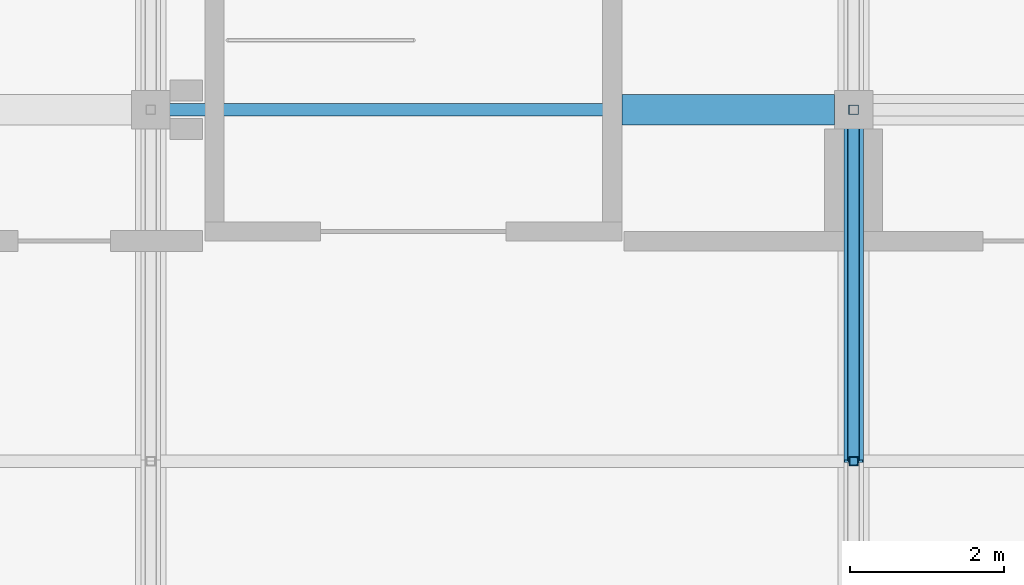
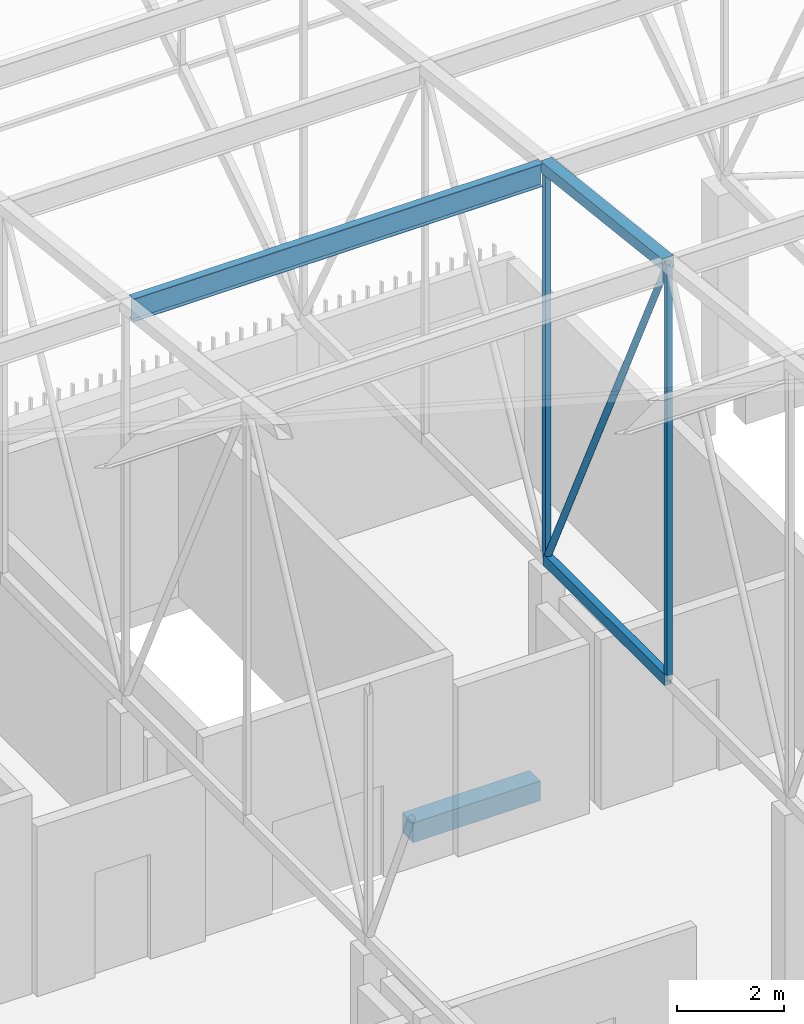
# One storey, part 239 of 500: 6 members, 1 beam.
"""IFC4 building model written with IfcOpenShell, lengths in metres."""

from ifc_helpers import new_model, si_unit, direction, frame, origin, origin_2d, place, context, subcontext, project, spatial, rectangle, hollow_rectangle, hollow_circle, i_section, extrude, material, material_profile, profile_set, type_object, element, save


model = new_model("IFC4")

# Units and contexts
model_context = context("Model", 3, precision=1e-05, world=origin(), true_north=direction((0.0, 1.0)))
body_context = subcontext(model_context, "Body", "Model", "MODEL_VIEW")
ifc_project = project(units=[si_unit("LENGTHUNIT", "METRE"), si_unit("AREAUNIT", "SQUARE_METRE"), si_unit("VOLUMEUNIT", "CUBIC_METRE"), si_unit("PLANEANGLEUNIT", "RADIAN"), si_unit("MASSUNIT", "GRAM", prefix="KILO")], contexts=[model_context])

# Site, building, storey
site_placement = place(None, origin())
site = spatial("IfcSite", under=ifc_project, at=site_placement, CompositionType="ELEMENT")
building_placement = place(site_placement, origin())
building = spatial("IfcBuilding", under=site, at=building_placement, Name="Shirokan Park Arena", CompositionType="ELEMENT")
storey_placement = place(building_placement, frame((0.0, 0.0, 29.1201171875)))
storey = spatial("IfcBuildingStorey", under=building, at=storey_placement, Name="L06", CompositionType="ELEMENT", Elevation=29.1201171875)

# Members
ifc_material_1 = material(Name="Steel ASTM A500 Grade C", Category="steel")
ifc_material_profile_1 = material_profile(ifc_material_1, hollow_rectangle(XDim=0.152099609375, YDim=0.25390625, WallThickness=0.009521484375, at=origin_2d()), Name="HSS254X152.4X9.5")
ifc_profile_set_1 = profile_set([ifc_material_profile_1], Name="Steel ASTM A500 Grade C")
member_type_1 = type_object("IfcMemberType", Name="Bottom chord HSS254X152.4X9.5", PredefinedType="CHORD", material=ifc_profile_set_1)
member_1_placement = place(storey_placement, frame((36.39990234375, 95.550048828125, 4.677001953125), z_axis=(0.0, 1.0, 0.0), x_axis=(-1.0, 0.0, 0.0)))
element("IfcMember", 1, at=member_1_placement, inside=storey, type_object=member_type_1, Name="Truss T05 bottom chord 24", PredefinedType="CHORD", context=body_context, shape_type="SweptSolid", body=[
    extrude(hollow_rectangle(XDim=0.152099609375, YDim=0.25390625, WallThickness=0.009521484375, at=origin_2d()), origin(), (0.0, 0.0, 1.0), 4.550048828125),
])
ifc_material_2 = material(Name="Steel ASTM A992", Category="steel")
ifc_material_profile_2 = material_profile(ifc_material_2, i_section(OverallWidth=0.166015625, OverallDepth=0.528076171875, WebThickness=0.009765625, FlangeThickness=0.013671875, at=origin_2d()), Name="W530X74")
ifc_profile_set_2 = profile_set([ifc_material_profile_2], Name="Steel ASTM A992")
member_type_2 = type_object("IfcMemberType", Name="Purlin W530X74", PredefinedType="PURLIN", material=ifc_profile_set_2)
member_2_placement = place(storey_placement, frame((27.427001953125, 100.10009765625, 13.52587890625), z_axis=(1.0, 0.0, 0.0), x_axis=(0.0, 1.0, 0.0)))
element("IfcMember", 2, at=member_2_placement, inside=storey, type_object=member_type_2, Name="Purlin 25 bay 4", PredefinedType="PURLIN", context=body_context, shape_type="SweptSolid", body=[
    extrude(i_section(OverallWidth=0.166015625, OverallDepth=0.528076171875, WebThickness=0.009765625, FlangeThickness=0.013671875, at=origin_2d()), origin(), (0.0, 0.0, 1.0), 8.845947265625),
])

# Beam
ifc_material_3 = material(Name="Concrete C35", Category="concrete")
ifc_material_profile_3 = material_profile(ifc_material_3, rectangle(XDim=0.39990234375, YDim=0.449951171875, at=origin_2d()), Name="400x450")
ifc_profile_set_3 = profile_set([ifc_material_profile_3], Name="Concrete C35")
beam_type = type_object("IfcBeamType", Name="RC trimmer 400x450", PredefinedType="BEAM", material=ifc_profile_set_3)
beam_placement = place(storey_placement, frame((33.39990234375, 100.10009765625, -0.425048828125), z_axis=(1.0, 0.0, 0.0), x_axis=(0.0, 1.0, 0.0)))
element("IfcBeam", 3, at=beam_placement, inside=storey, type_object=beam_type, Name="Girder 4M-5M L06", PredefinedType="BEAM", context=body_context, shape_type="SweptSolid", body=[
    extrude(rectangle(XDim=0.39990234375, YDim=0.449951171875, at=origin_2d()), origin(), (0.0, 0.0, 1.0), 2.75),
])

# Members
ifc_material_profile_4 = material_profile(ifc_material_1, hollow_rectangle(XDim=0.25390625, YDim=0.25390625, WallThickness=0.009521484375, at=origin_2d()), Name="HSS254X254X9.5")
ifc_profile_set_4 = profile_set([ifc_material_profile_4], Name="Steel ASTM A500 Grade C")
member_type_3 = type_object("IfcMemberType", Name="Top chord HSS254X254X9.5", PredefinedType="CHORD", material=ifc_profile_set_4)
member_3_placement = place(storey_placement, frame((36.39990234375, 95.550048828125, 14.182861328125), z_axis=(0.0, 0.993532328996, -0.113549598152), x_axis=(-1.0, 0.0, 0.0)))
element("IfcMember", 4, at=member_3_placement, inside=storey, type_object=member_type_3, Name="Truss T05 top chord 24", PredefinedType="CHORD", context=body_context, shape_type="SweptSolid", body=[
    extrude(hollow_rectangle(XDim=0.25390625, YDim=0.25390625, WallThickness=0.009521484375, at=origin_2d()), origin(), (0.0, 0.0, 1.0), 4.57958984375),
])
ifc_material_profile_5 = material_profile(ifc_material_1, hollow_circle(Radius=0.070556640625, WallThickness=0.006591796875, at=origin_2d()), Name="HSS141.3X6.6")
ifc_profile_set_5 = profile_set([ifc_material_profile_5], Name="Steel ASTM A500 Grade C")
member_type_4 = type_object("IfcMemberType", Name="Truss diagonal HSS141.3X6.6", PredefinedType="BRACE", material=ifc_profile_set_5)
member_4_placement = place(storey_placement, frame((36.39990234375, 95.550048828125, 14.182861328125), z_axis=(0.0, 0.431746476626, -0.901994999942), x_axis=(-1.0, 0.0, 0.0)))
element("IfcMember", 5, at=member_4_placement, inside=storey, type_object=member_type_4, Name="Truss T05 diagonal 24", PredefinedType="BRACE", context=body_context, shape_type="SweptSolid", body=[
    extrude(hollow_circle(Radius=0.070556640625, WallThickness=0.006591796875, at=origin_2d()), origin(), (0.0, 0.0, 1.0), 10.538818359375),
])
ifc_material_profile_6 = material_profile(ifc_material_1, hollow_rectangle(XDim=0.114013671875, YDim=0.114013671875, WallThickness=0.00634765625, at=origin_2d()), Name="HSS114.3X114.3X6.4")
ifc_profile_set_6 = profile_set([ifc_material_profile_6], Name="Steel ASTM A500 Grade C")
member_type_5 = type_object("IfcMemberType", Name="Truss post HSS114.3X114.3X6.4", PredefinedType="POST", material=ifc_profile_set_6)
member_5_placement = place(storey_placement, frame((36.39990234375, 95.550048828125, 4.677001953125), z_axis=(0.0, 0.0, 1.0), x_axis=(1.0, 0.0, 0.0)))
element("IfcMember", 6, at=member_5_placement, inside=storey, type_object=member_type_5, Name="Truss T05 post 24", PredefinedType="POST", context=body_context, shape_type="SweptSolid", body=[
    extrude(hollow_rectangle(XDim=0.114013671875, YDim=0.114013671875, WallThickness=0.00634765625, at=origin_2d()), origin(), (0.0, 0.0, 1.0), 9.505859375),
])
ifc_material_profile_7 = material_profile(ifc_material_1, hollow_rectangle(XDim=0.126953125, YDim=0.126953125, WallThickness=0.008056640625, at=origin_2d()), Name="HSS127X127X7.9")
ifc_profile_set_7 = profile_set([ifc_material_profile_7], Name="Steel ASTM A500 Grade C")
member_type_6 = type_object("IfcMemberType", Name="Truss post HSS127X127X7.9", PredefinedType="POST", material=ifc_profile_set_7)
member_6_placement = place(storey_placement, frame((36.39990234375, 100.10009765625, 4.677001953125), z_axis=(0.0, 0.0, 1.0), x_axis=(1.0, 0.0, 0.0)))
element("IfcMember", 7, at=member_6_placement, inside=storey, type_object=member_type_6, Name="Truss T05 post 25", PredefinedType="POST", context=body_context, shape_type="SweptSolid", body=[
    extrude(hollow_rectangle(XDim=0.126953125, YDim=0.126953125, WallThickness=0.008056640625, at=origin_2d()), origin(), (0.0, 0.0, 1.0), 8.98583984375),
])

save(model, "model.ifc")
